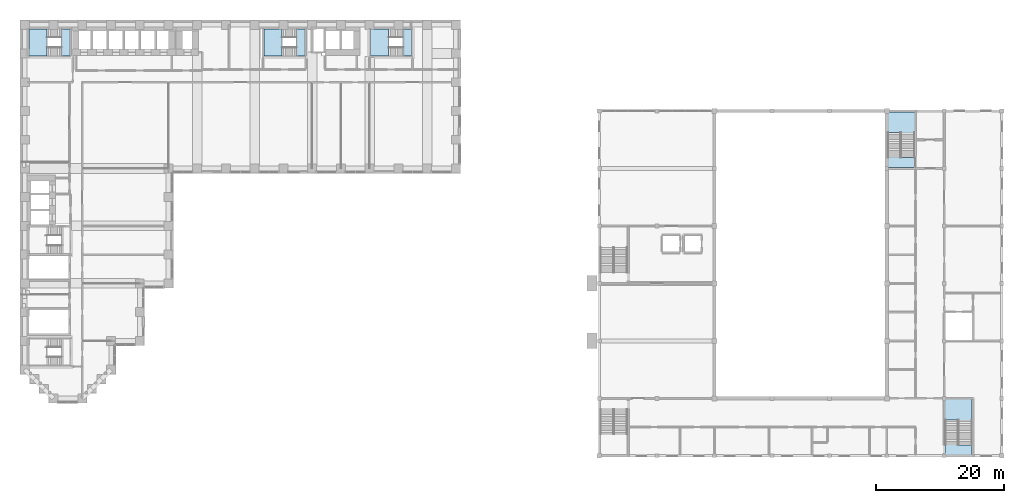
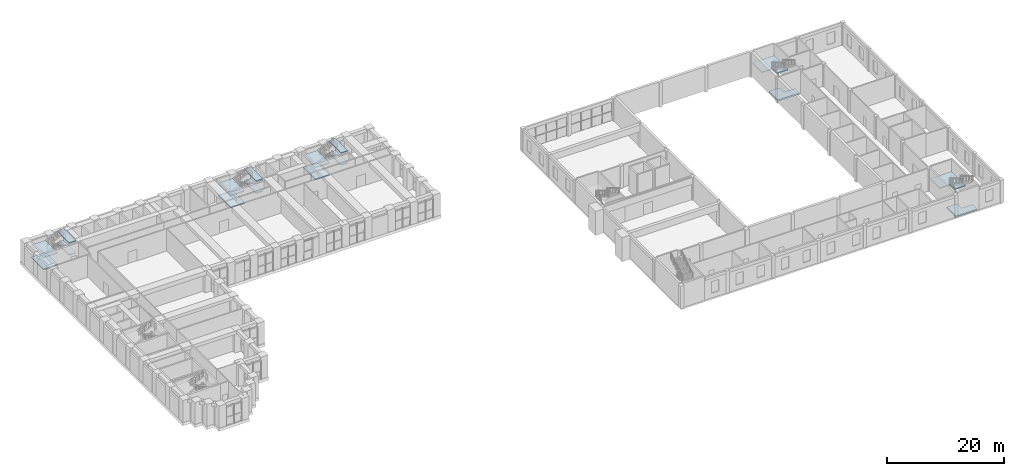
# One storey, part 14 of 30: 16 slabs, 5 elements without a shape of their own.
"""IFC4 building model written with IfcOpenShell, lengths in metres."""

import ifcopenshell
import ifcopenshell.guid

model = None  # the IFC model being written
_history = None  # IfcOwnerHistory: only IFC2X3 demands one
_inside = {}  # id of a spatial element -> (the spatial element, [elements in it])
_under = {}  # id of a project, library or spatial element -> (it, [spatial elements below it])
_declared = {}  # id of a project -> (the project, [libraries it declares])
_typed = {}  # id of a type object -> (the type object, [elements of that type])
_made_of = {}  # id of a material, layer set ... -> (it, [elements and type objects made of it])


def new_model(schema):
    """Start an empty IFC model of exactly this schema.

    Asked for "IFC4X3", IfcOpenShell would pick the latest addendum, in which some entities
    have other attributes; the version numbers below select the first issue.
    IFC2X3 requires an IfcOwnerHistory on every rooted entity: one is made here for all.
    """
    global model, _history
    if schema == "IFC4X3":
        model = ifcopenshell.file(schema_version=(4, 3, 0, 0))
    else:
        model = ifcopenshell.file(schema=schema)
    _inside.clear()
    _under.clear()
    _declared.clear()
    _typed.clear()
    _made_of.clear()
    _history = None
    if model.schema == "IFC2X3":
        org = make("IfcOrganization", Name="unknown")
        user = make(
            "IfcPersonAndOrganization",
            ThePerson=make("IfcPerson", FamilyName="unknown"),
            TheOrganization=org,
        )
        app = make(
            "IfcApplication",
            ApplicationDeveloper=org,
            Version="unknown",
            ApplicationFullName="unknown",
            ApplicationIdentifier="unknown",
        )
        _history = make(
            "IfcOwnerHistory",
            OwningUser=user,
            OwningApplication=app,
            ChangeAction="ADDED",
            CreationDate=0,
        )
    return model


def make(cls, **values):
    """One entity of the class cls with the attributes given. An attribute that is None is left unset."""
    return model.create_entity(
        cls, **{name: value for name, value in values.items() if value is not None}
    )


def rooted(cls, **values):
    """An entity with a GlobalId (a new one), such as an element, a storey or a relation."""
    return make(cls, GlobalId=ifcopenshell.guid.new(), OwnerHistory=_history, **values)


def si_unit(unit_type, name, prefix=None):
    """IfcSIUnit, for example si_unit("LENGTHUNIT", "METRE", prefix="MILLI")."""
    return make("IfcSIUnit", UnitType=unit_type, Prefix=prefix, Name=name)


def assignment(units):
    """IfcUnitAssignment: the units of a project."""
    return None if units is None else make("IfcUnitAssignment", Units=units)


def point(xyz):
    """IfcCartesianPoint."""
    return None if xyz is None else make("IfcCartesianPoint", Coordinates=xyz)


def direction(xyz):
    """IfcDirection."""
    return None if xyz is None else make("IfcDirection", DirectionRatios=xyz)


def frame(location, z_axis=None, x_axis=None):
    """IfcAxis2Placement3D, a coordinate frame: its origin and axes. An axis left out is left unset."""
    return make(
        "IfcAxis2Placement3D",
        Location=point(location),
        Axis=direction(z_axis),
        RefDirection=direction(x_axis),
    )


def origin():
    """The frame at (0, 0, 0) with its axes left unset."""
    return frame((0.0, 0.0, 0.0))


def place(relative_to, where):
    """IfcLocalPlacement: puts the frame where relative to a parent placement (None: the world)."""
    return make(
        "IfcLocalPlacement", PlacementRelTo=relative_to, RelativePlacement=where
    )


def context(
    kind, dimensions, precision=None, world=None, true_north=None, identifier=None
):
    """IfcGeometricRepresentationContext, for example the 3D "Model" context."""
    return make(
        "IfcGeometricRepresentationContext",
        ContextIdentifier=identifier,
        ContextType=kind,
        CoordinateSpaceDimension=dimensions,
        Precision=precision,
        WorldCoordinateSystem=world,
        TrueNorth=true_north,
    )


def subcontext(parent, identifier, kind, view, scale=None):
    """IfcGeometricRepresentationSubContext, for example "Body" below "Model"."""
    return make(
        "IfcGeometricRepresentationSubContext",
        ContextIdentifier=identifier,
        ContextType=kind,
        ParentContext=parent,
        TargetScale=scale,
        TargetView=view,
    )


def project(units=None, contexts=None):
    """IfcProject with its units and contexts."""
    return rooted(
        "IfcProject",
        Name="project",
        RepresentationContexts=contexts,
        UnitsInContext=assignment(units),
    )


def spatial(cls, under=None, at=None, **own):
    """A site, building, storey or space (cls), placed at a placement, below another one or the project."""
    s = rooted(cls, ObjectPlacement=at, **own)
    if under is not None:
        _under.setdefault(under.id(), (under, []))[1].append(s)
    return s


def polyline(points):
    """IfcPolyline through the points."""
    return make("IfcPolyline", Points=[point(p) for p in points])


def outline(outer, holes=None, kind="AREA"):
    """IfcArbitraryClosedProfileDef: a profile drawn as a closed curve; with holes, ...WithVoids."""
    if holes is None:
        return make("IfcArbitraryClosedProfileDef", ProfileType=kind, OuterCurve=outer)
    return make(
        "IfcArbitraryProfileDefWithVoids",
        ProfileType=kind,
        OuterCurve=outer,
        InnerCurves=holes,
    )


def extrude(swept, where, along, depth):
    """IfcExtrudedAreaSolid: the profile swept, set in the frame where, extruded along a direction by depth."""
    return make(
        "IfcExtrudedAreaSolid",
        SweptArea=swept,
        Position=where,
        ExtrudedDirection=direction(along),
        Depth=depth,
    )


def shape(context_of_items, identifier, shape_type, items):
    """IfcShapeRepresentation: the items that make up one representation, for example the "Body"."""
    return make(
        "IfcShapeRepresentation",
        ContextOfItems=context_of_items,
        RepresentationIdentifier=identifier,
        RepresentationType=shape_type,
        Items=items,
    )


def material(Name=None, Category=None):
    """IfcMaterial."""
    return make("IfcMaterial", Name=Name, Category=Category)


def layer(
    of_material, thickness, ventilated=None, Name=None, Category=None, Priority=None
):
    """IfcMaterialLayer: one layer of a wall or slab, of a material (None: an air gap)."""
    return make(
        "IfcMaterialLayer",
        Material=of_material,
        LayerThickness=thickness,
        IsVentilated=ventilated,
        Name=Name,
        Category=Category,
        Priority=Priority,
    )


def layer_set(layers, Name=None):
    """IfcMaterialLayerSet."""
    return make("IfcMaterialLayerSet", MaterialLayers=layers, LayerSetName=Name)


def made_of(thing, what):
    """Note that an element or type object is made of a material, layer set ...; save() writes the relation."""
    if what is not None:
        _made_of.setdefault(what.id(), (what, []))[1].append(thing)
    return thing


def type_object(cls, material=None, **own):
    """A type object (cls), such as IfcWallType, which elements share."""
    return made_of(rooted(cls, **own), material)


def element(
    cls,
    number,
    at=None,
    inside=None,
    cuts=None,
    type_object=None,
    material=None,
    context=None,
    identifier="Body",
    shape_type=None,
    held_by="IfcProductDefinitionShape",
    body=None,
    shapes=None,
    **own,
):
    """One element of the class cls, such as IfcWall. Its Tag is "e" and its number.

    at: its placement. inside: the storey or other place that contains it. cuts: it is an
    opening in that element (IfcRelVoidsElement). A single representation is given by context,
    identifier, shape_type and body (its items); several are given by shapes. held_by: the class
    of the entity that holds the representations. save() writes the other relations.
    """
    e = rooted(cls, Tag="e%d" % number, ObjectPlacement=at, **own)
    if body is not None:
        shapes = [shape(context, identifier, shape_type, body)]
    if shapes is not None:
        e.Representation = make(held_by, Representations=shapes)
    if inside is not None:
        _inside.setdefault(inside.id(), (inside, []))[1].append(e)
    if cuts is not None:
        rooted(
            "IfcRelVoidsElement", RelatingBuildingElement=cuts, RelatedOpeningElement=e
        )
    if type_object is not None:
        _typed.setdefault(type_object.id(), (type_object, []))[1].append(e)
    return made_of(e, material)


def aggregate(whole, parts):
    """IfcRelAggregates: a whole, such as a stair, and the parts it consists of."""
    return rooted("IfcRelAggregates", RelatingObject=whole, RelatedObjects=parts)


def save(model, path):
    """Write the relations noted so far, then the file.

    IfcRelAggregates (storeys below a building ...), IfcRelContainedInSpatialStructure (elements
    in a storey), IfcRelDefinesByType, IfcRelAssociatesMaterial and IfcRelDeclares: one each for
    every whole, place, type object, material and project.
    """
    for whole, parts in _under.values():
        aggregate(whole, parts)
    for where, things in _inside.values():
        rooted(
            "IfcRelContainedInSpatialStructure",
            RelatedElements=things,
            RelatingStructure=where,
        )
    for kind, things in _typed.values():
        rooted("IfcRelDefinesByType", RelatedObjects=things, RelatingType=kind)
    for what, things in _made_of.values():
        rooted("IfcRelAssociatesMaterial", RelatedObjects=things, RelatingMaterial=what)
    for by, libraries in _declared.values():
        rooted("IfcRelDeclares", RelatingContext=by, RelatedDefinitions=libraries)
    model.write(path)


model = new_model("IFC4")

# Units and contexts
model_context = context("Model", 3, precision=1e-05, world=origin(), true_north=direction((0.0, 1.0)))
body_context = subcontext(model_context, "Body", "Model", "MODEL_VIEW")
ifc_project = project(units=[si_unit("LENGTHUNIT", "METRE"), si_unit("AREAUNIT", "SQUARE_METRE"), si_unit("VOLUMEUNIT", "CUBIC_METRE"), si_unit("PLANEANGLEUNIT", "RADIAN"), si_unit("MASSUNIT", "GRAM", prefix="KILO")], contexts=[model_context])

# Site, building, storey
site_placement = place(None, origin())
site = spatial("IfcSite", under=ifc_project, at=site_placement, CompositionType="ELEMENT")
building_placement = place(site_placement, origin())
building = spatial("IfcBuilding", under=site, at=building_placement, Name="Firuza Court", CompositionType="ELEMENT")
storey_placement = place(building_placement, frame((0.0, 0.0, 9.0)))
storey = spatial("IfcBuildingStorey", under=building, at=storey_placement, Name="L01", CompositionType="ELEMENT", Elevation=9.0)

# Slabs
ifc_material_1 = material(Name="Concrete C40/50", Category="concrete")
ifc_layer_1 = layer(ifc_material_1, 0.300048828125)
ifc_layer_set_1 = layer_set([ifc_layer_1], Name="Concrete C40/50")
slab_type_1 = type_object("IfcSlabType", Name="HALL FLAT SLAB 300", PredefinedType="FLOOR", material=ifc_layer_set_1)
slab_1_placement = place(storey_placement, frame((0.0, 0.0, -0.300048828125)))
element("IfcSlab", 1, at=slab_1_placement, inside=storey, type_object=slab_type_1, Name="Floor slab L01.1", PredefinedType="FLOOR", context=body_context, shape_type="SweptSolid", body=[
    extrude(outline(polyline([(144.125, -8.875), (144.125, -5.800048828125), (146.199951171875, -5.800048828125), (146.199951171875, -7.2900390625), (148.375, -7.2900390625), (148.375, -8.875), (144.125, -8.875)])), origin(), (0.0, 0.0, 1.0), 0.300048828125),
])
slab_2_placement = place(storey_placement, frame((0.0, 0.0, -0.300048828125)))
element("IfcSlab", 2, at=slab_2_placement, inside=storey, type_object=slab_type_1, Name="Floor slab L01.5", PredefinedType="FLOOR", context=body_context, shape_type="SweptSolid", body=[
    extrude(outline(polyline([(135.125, 36.125), (135.125, 39.199951171875), (137.199951171875, 39.199951171875), (137.199951171875, 37.7099609375), (139.375, 37.7099609375), (139.375, 36.125), (135.125, 36.125)])), origin(), (0.0, 0.0, 1.0), 0.300048828125),
])

# Stair, slab
ifc_material_2 = material(Name="Concrete C40/50", Category="concrete")
stair_type_1 = type_object("IfcStairType", Name="HALL STAIR", PredefinedType="NOTDEFINED", material=ifc_material_2)
stair_1_placement = place(storey_placement, origin())
stair_1 = element("IfcStair", 3, at=stair_1_placement, inside=storey, type_object=stair_type_1, Name="Stair H2 L01", PredefinedType="NOTDEFINED")
ifc_layer_2 = layer(ifc_material_1, 0.199951171875)
ifc_layer_set_2 = layer_set([ifc_layer_2], Name="Concrete C40/50")
slab_type_2 = type_object("IfcSlabType", Name="HALL STAIR LANDING 200", PredefinedType="LANDING", material=ifc_layer_set_2)
slab_3_placement = place(storey_placement, frame((0.0, 0.0, 2.300048828125)))
slab_3 = element("IfcSlab", 4, at=slab_3_placement, type_object=slab_type_2, Name="HS-2 landing 1", PredefinedType="LANDING", context=body_context, shape_type="SweptSolid", body=[
    extrude(outline(polyline([(144.125, -3.389892578125), (146.199951171875, -3.389892578125), (146.199951171875, -4.8798828125), (148.375, -4.8798828125), (148.375, -0.125), (144.125, -0.125), (144.125, -3.389892578125)])), origin(), (0.0, 0.0, 1.0), 0.199951171875),
])
aggregate(stair_1, [slab_3])

stair_2_placement = place(storey_placement, origin())
stair_2 = element("IfcStair", 5, at=stair_2_placement, inside=storey, type_object=stair_type_1, Name="Stair H4 L01", PredefinedType="NOTDEFINED")
slab_4_placement = place(storey_placement, frame((0.0, 0.0, 2.300048828125)))
slab_4 = element("IfcSlab", 6, at=slab_4_placement, type_object=slab_type_2, Name="HS-4 landing 1", PredefinedType="LANDING", context=body_context, shape_type="SweptSolid", body=[
    extrude(outline(polyline([(135.125, 41.610107421875), (137.199951171875, 41.610107421875), (137.199951171875, 40.1201171875), (139.375, 40.1201171875), (139.375, 44.875), (135.125, 44.875), (135.125, 41.610107421875)])), origin(), (0.0, 0.0, 1.0), 0.199951171875),
])
aggregate(stair_2, [slab_4])

# Stair, slabs
ifc_material_3 = material(Name="Concrete C40/50 precast", Category="concrete")
stair_type_2 = type_object("IfcStairType", Name="Stair 1350 x 5000 4 flights", PredefinedType="QUARTER_TURN_STAIR", material=ifc_material_3)
stair_3_placement = place(storey_placement, origin())
stair_3 = element("IfcStair", 7, at=stair_3_placement, inside=storey, type_object=stair_type_2, Name="Stair 1 L01", PredefinedType="QUARTER_TURN_STAIR")
ifc_material_4 = material(Name="Concrete C40/50 precast", Category="concrete")
ifc_layer_3 = layer(ifc_material_4, 0.199951171875)
ifc_layer_set_3 = layer_set([ifc_layer_3], Name="Concrete C40/50 precast")
slab_type_3 = type_object("IfcSlabType", Name="Stair landing 200", PredefinedType="LANDING", material=ifc_layer_set_3)
slab_5_placement = place(storey_placement, frame((0.0, 0.0, 1.050048828125)))
slab_5 = element("IfcSlab", 8, at=slab_5_placement, type_object=slab_type_3, Name="S1 landing 1", PredefinedType="LANDING", context=body_context, shape_type="SweptSolid", body=[
    extrude(outline(polyline([(40.260009765625, 53.64990234375), (40.260009765625, 57.85009765625), (37.449951171875, 57.85009765625), (37.449951171875, 53.64990234375), (40.260009765625, 53.64990234375)])), origin(), (0.0, 0.0, 1.0), 0.199951171875),
])
slab_6_placement = place(storey_placement, frame((0.0, 0.0, 2.300048828125)))
slab_6 = element("IfcSlab", 9, at=slab_6_placement, type_object=slab_type_3, Name="S1 landing 2", PredefinedType="LANDING", context=body_context, shape_type="SweptSolid", body=[
    extrude(outline(polyline([(43.85009765625, 53.64990234375), (43.85009765625, 57.85009765625), (42.5, 57.85009765625), (42.5, 53.64990234375), (43.85009765625, 53.64990234375)])), origin(), (0.0, 0.0, 1.0), 0.199951171875),
])
slab_7_placement = place(storey_placement, frame((0.0, 0.0, 3.550048828125)))
slab_7 = element("IfcSlab", 10, at=slab_7_placement, type_object=slab_type_3, Name="S1 landing 3", PredefinedType="LANDING", context=body_context, shape_type="SweptSolid", body=[
    extrude(outline(polyline([(40.260009765625, 53.64990234375), (40.260009765625, 57.85009765625), (37.449951171875, 57.85009765625), (37.449951171875, 53.64990234375), (40.260009765625, 53.64990234375)])), origin(), (0.0, 0.0, 1.0), 0.199951171875),
])
slab_8_placement = place(storey_placement, frame((0.0, 0.0, 4.800048828125)))
slab_8 = element("IfcSlab", 11, at=slab_8_placement, type_object=slab_type_3, Name="S1 landing 4", PredefinedType="LANDING", context=body_context, shape_type="SweptSolid", body=[
    extrude(outline(polyline([(43.85009765625, 53.64990234375), (43.85009765625, 57.85009765625), (42.5, 57.85009765625), (42.5, 53.64990234375), (43.85009765625, 53.64990234375)])), origin(), (0.0, 0.0, 1.0), 0.199951171875),
])
aggregate(stair_3, [slab_5, slab_6, slab_7, slab_8])

stair_4_placement = place(storey_placement, origin())
stair_4 = element("IfcStair", 12, at=stair_4_placement, inside=storey, type_object=stair_type_2, Name="Stair 3 L01", PredefinedType="QUARTER_TURN_STAIR")
slab_9_placement = place(storey_placement, frame((0.0, 0.0, 1.050048828125)))
slab_9 = element("IfcSlab", 13, at=slab_9_placement, type_object=slab_type_3, Name="S3 landing 1", PredefinedType="LANDING", context=body_context, shape_type="SweptSolid", body=[
    extrude(outline(polyline([(3.4599609375, 53.64990234375), (3.4599609375, 57.85009765625), (0.64990234375, 57.85009765625), (0.64990234375, 53.64990234375), (3.4599609375, 53.64990234375)])), origin(), (0.0, 0.0, 1.0), 0.199951171875),
])
slab_10_placement = place(storey_placement, frame((0.0, 0.0, 2.300048828125)))
slab_10 = element("IfcSlab", 14, at=slab_10_placement, type_object=slab_type_3, Name="S3 landing 2", PredefinedType="LANDING", context=body_context, shape_type="SweptSolid", body=[
    extrude(outline(polyline([(7.050048828125, 53.64990234375), (7.050048828125, 57.85009765625), (5.699951171875, 57.85009765625), (5.699951171875, 53.64990234375), (7.050048828125, 53.64990234375)])), origin(), (0.0, 0.0, 1.0), 0.199951171875),
])
slab_11_placement = place(storey_placement, frame((0.0, 0.0, 3.550048828125)))
slab_11 = element("IfcSlab", 15, at=slab_11_placement, type_object=slab_type_3, Name="S3 landing 3", PredefinedType="LANDING", context=body_context, shape_type="SweptSolid", body=[
    extrude(outline(polyline([(3.4599609375, 53.64990234375), (3.4599609375, 57.85009765625), (0.64990234375, 57.85009765625), (0.64990234375, 53.64990234375), (3.4599609375, 53.64990234375)])), origin(), (0.0, 0.0, 1.0), 0.199951171875),
])
slab_12_placement = place(storey_placement, frame((0.0, 0.0, 4.800048828125)))
slab_12 = element("IfcSlab", 16, at=slab_12_placement, type_object=slab_type_3, Name="S3 landing 4", PredefinedType="LANDING", context=body_context, shape_type="SweptSolid", body=[
    extrude(outline(polyline([(7.050048828125, 53.64990234375), (7.050048828125, 57.85009765625), (5.699951171875, 57.85009765625), (5.699951171875, 53.64990234375), (7.050048828125, 53.64990234375)])), origin(), (0.0, 0.0, 1.0), 0.199951171875),
])
aggregate(stair_4, [slab_9, slab_10, slab_11, slab_12])

stair_5_placement = place(storey_placement, origin())
stair_5 = element("IfcStair", 17, at=stair_5_placement, inside=storey, type_object=stair_type_2, Name="Stair 4 L01", PredefinedType="QUARTER_TURN_STAIR")
slab_13_placement = place(storey_placement, frame((0.0, 0.0, 1.050048828125)))
slab_13 = element("IfcSlab", 18, at=slab_13_placement, type_object=slab_type_3, Name="S4 landing 1", PredefinedType="LANDING", context=body_context, shape_type="SweptSolid", body=[
    extrude(outline(polyline([(56.9599609375, 53.64990234375), (56.9599609375, 57.85009765625), (54.14990234375, 57.85009765625), (54.14990234375, 53.64990234375), (56.9599609375, 53.64990234375)])), origin(), (0.0, 0.0, 1.0), 0.199951171875),
])
slab_14_placement = place(storey_placement, frame((0.0, 0.0, 2.300048828125)))
slab_14 = element("IfcSlab", 19, at=slab_14_placement, type_object=slab_type_3, Name="S4 landing 2", PredefinedType="LANDING", context=body_context, shape_type="SweptSolid", body=[
    extrude(outline(polyline([(60.550048828125, 53.64990234375), (60.550048828125, 57.85009765625), (59.199951171875, 57.85009765625), (59.199951171875, 53.64990234375), (60.550048828125, 53.64990234375)])), origin(), (0.0, 0.0, 1.0), 0.199951171875),
])
slab_15_placement = place(storey_placement, frame((0.0, 0.0, 3.550048828125)))
slab_15 = element("IfcSlab", 20, at=slab_15_placement, type_object=slab_type_3, Name="S4 landing 3", PredefinedType="LANDING", context=body_context, shape_type="SweptSolid", body=[
    extrude(outline(polyline([(56.9599609375, 53.64990234375), (56.9599609375, 57.85009765625), (54.14990234375, 57.85009765625), (54.14990234375, 53.64990234375), (56.9599609375, 53.64990234375)])), origin(), (0.0, 0.0, 1.0), 0.199951171875),
])
slab_16_placement = place(storey_placement, frame((0.0, 0.0, 4.800048828125)))
slab_16 = element("IfcSlab", 21, at=slab_16_placement, type_object=slab_type_3, Name="S4 landing 4", PredefinedType="LANDING", context=body_context, shape_type="SweptSolid", body=[
    extrude(outline(polyline([(60.550048828125, 53.64990234375), (60.550048828125, 57.85009765625), (59.199951171875, 57.85009765625), (59.199951171875, 53.64990234375), (60.550048828125, 53.64990234375)])), origin(), (0.0, 0.0, 1.0), 0.199951171875),
])
aggregate(stair_5, [slab_13, slab_14, slab_15, slab_16])

save(model, "model.ifc")
